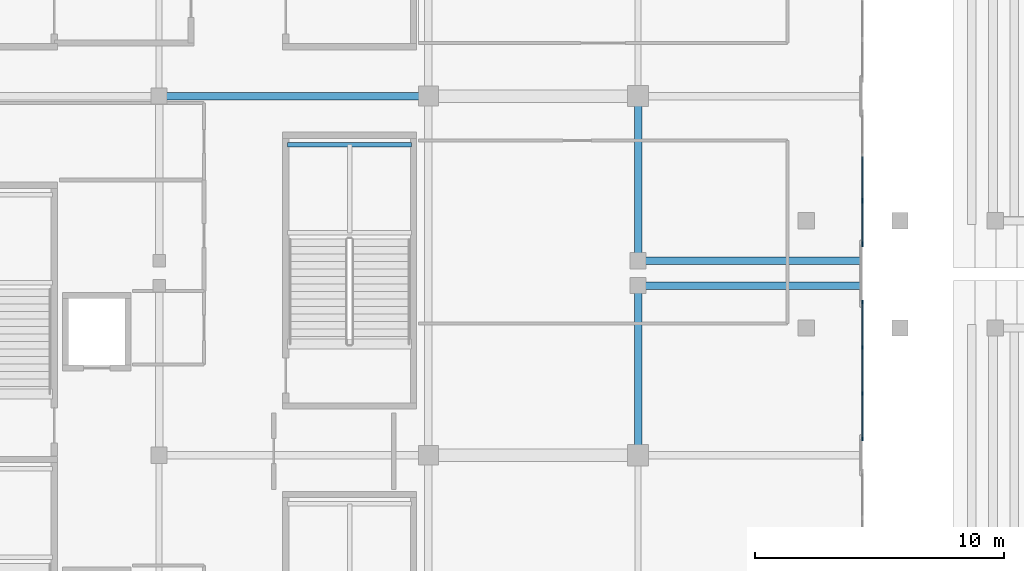
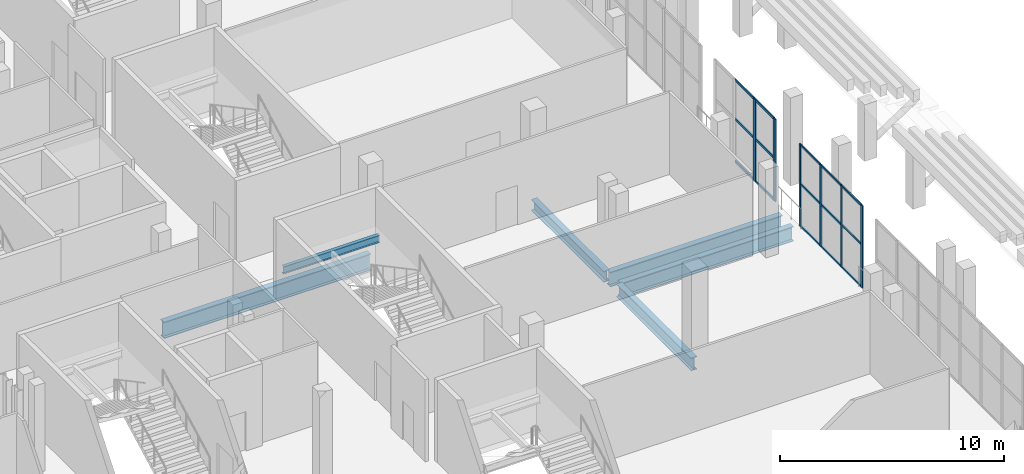
# One storey, part 32 of 142: 21 members, 6 beams, 2 elements without a shape of their own.
"""IFC4 building model written with IfcOpenShell, lengths in metres."""

from ifc_helpers import new_model, si_unit, direction, frame, origin, origin_2d, place, context, subcontext, project, spatial, rectangle, i_section, extrude, material, material_profile, profile_set, type_object, element, aggregate, save


model = new_model("IFC4")

# Units and contexts
model_context = context("Model", 3, precision=1e-05, world=origin(), true_north=direction((0.0, 1.0)))
body_context = subcontext(model_context, "Body", "Model", "MODEL_VIEW")
ifc_project = project(units=[si_unit("LENGTHUNIT", "METRE"), si_unit("AREAUNIT", "SQUARE_METRE"), si_unit("VOLUMEUNIT", "CUBIC_METRE"), si_unit("PLANEANGLEUNIT", "RADIAN"), si_unit("MASSUNIT", "GRAM", prefix="KILO")], contexts=[model_context])

# Site, building, storey
site_placement = place(None, origin())
site = spatial("IfcSite", under=ifc_project, at=site_placement, CompositionType="ELEMENT")
building_placement = place(site_placement, origin())
building = spatial("IfcBuilding", under=site, at=building_placement, Name="Koshinbarg Plaza Stadium", CompositionType="ELEMENT")
storey_placement = place(building_placement, frame((0.0, 0.0, 10.199951171875)))
storey = spatial("IfcBuildingStorey", under=building, at=storey_placement, Name="L02", CompositionType="ELEMENT", Elevation=10.199951171875)

# Beams
ifc_material_1 = material(Name="Steel S355", Category="steel")
ifc_material_profile_1 = material_profile(ifc_material_1, i_section(OverallWidth=0.179931640625, OverallDepth=0.39990234375, WebThickness=0.008544921875, FlangeThickness=0.013427734375, at=origin_2d()), Name="IPE 400")
ifc_profile_set_1 = profile_set([ifc_material_profile_1], Name="Steel S355")
beam_type_1 = type_object("IfcBeamType", Name="BM-SBM-01", PredefinedType="BEAM", material=ifc_profile_set_1)
beam_1_placement = place(storey_placement, frame((40.550048828125, 81.14990234375, 1.880126953125), z_axis=(1.0, 0.0, 0.0), x_axis=(0.0, 1.0, 0.0)))
element("IfcBeam", 1, at=beam_1_placement, inside=storey, type_object=beam_type_1, Name="L02 Upper Vomitory Stair VX04 landing trimmer beam 2", PredefinedType="BEAM", context=body_context, shape_type="SweptSolid", body=[
    extrude(i_section(OverallWidth=0.179931640625, OverallDepth=0.39990234375, WebThickness=0.008544921875, FlangeThickness=0.013427734375, at=origin_2d()), origin(), (0.0, 0.0, 1.0), 4.969970703125),
])
ifc_material_profile_2 = material_profile(ifc_material_1, i_section(OverallWidth=0.300048828125, OverallDepth=0.60009765625, WebThickness=0.015380859375, FlangeThickness=0.030029296875, at=origin_2d()), Name="HEB 600")
ifc_profile_set_2 = profile_set([ifc_material_profile_2], Name="Steel S355")
beam_type_2 = type_object("IfcBeamType", Name="BM-SGIR-02", PredefinedType="USERDEFINED", material=ifc_profile_set_2)
beam_2_placement = place(storey_placement, frame((54.60009765625, 76.56005859375, -0.599853515625), z_axis=(0.0, 1.0, 0.0), x_axis=(-1.0, 0.0, 0.0)))
element("IfcBeam", 2, at=beam_2_placement, inside=storey, type_object=beam_type_2, Name="L02 Y girder 8/L-M", ObjectType="GIRDER", PredefinedType="USERDEFINED", context=body_context, shape_type="SweptSolid", body=[
    extrude(i_section(OverallWidth=0.300048828125, OverallDepth=0.60009765625, WebThickness=0.015380859375, FlangeThickness=0.030029296875, at=origin_2d()), origin(), (0.0, 0.0, 1.0), 6.47998046875),
])
ifc_material_profile_3 = material_profile(ifc_material_1, i_section(OverallWidth=0.300048828125, OverallDepth=0.699951171875, WebThickness=0.01708984375, FlangeThickness=0.031982421875, at=origin_2d()), Name="HEB 700")
ifc_profile_set_3 = profile_set([ifc_material_profile_3], Name="Steel S355")
beam_type_3 = type_object("IfcBeamType", Name="BM-SGIR-03", PredefinedType="USERDEFINED", material=ifc_profile_set_3)
beam_3_placement = place(storey_placement, frame((54.60009765625, 68.760009765625, -0.64990234375), z_axis=(0.0, 1.0, 0.0), x_axis=(-1.0, 0.0, 0.0)))
element("IfcBeam", 3, at=beam_3_placement, inside=storey, type_object=beam_type_3, Name="L02 Y girder 8/J-K", ObjectType="GIRDER", PredefinedType="USERDEFINED", context=body_context, shape_type="SweptSolid", body=[
    extrude(i_section(OverallWidth=0.300048828125, OverallDepth=0.699951171875, WebThickness=0.01708984375, FlangeThickness=0.031982421875, at=origin_2d()), origin(), (0.0, 0.0, 1.0), 6.679931640625),
])
ifc_material_profile_4 = material_profile(ifc_material_1, i_section(OverallWidth=0.300048828125, OverallDepth=0.800048828125, WebThickness=0.017578125, FlangeThickness=0.032958984375, at=origin_2d()), Name="HEB 800")
ifc_profile_set_4 = profile_set([ifc_material_profile_4], Name="Steel S355")
beam_type_4 = type_object("IfcBeamType", Name="BM-SGIR-04", PredefinedType="USERDEFINED", material=ifc_profile_set_4)
for number, where, z_axis, x_axis, name in (
    (4, (54.659912109375, 75.5, -0.699951171875), (1.0, 0.0, 0.0), (0.0, 1.0, 0.0), "L02 X girder K/8-9"),
    (5, (54.659912109375, 76.5, -0.699951171875), (1.0, 0.0, 0.0), (0.0, 1.0, 0.0), "L02 X girder L/8-9"),
):
    element("IfcBeam", number, at=place(storey_placement, frame(where, z_axis=z_axis, x_axis=x_axis)), inside=storey, type_object=beam_type_4, Name=name, ObjectType="GIRDER", PredefinedType="USERDEFINED", context=body_context, shape_type="SweptSolid", body=[
        extrude(i_section(OverallWidth=0.300048828125, OverallDepth=0.800048828125, WebThickness=0.017578125, FlangeThickness=0.032958984375, at=origin_2d()), origin(), (0.0, 0.0, 1.0), 8.880126953125),
    ])
ifc_material_profile_5 = material_profile(ifc_material_1, i_section(OverallWidth=0.300048828125, OverallDepth=0.89990234375, WebThickness=0.0185546875, FlangeThickness=0.034912109375, at=origin_2d()), Name="HEB 900")
ifc_profile_set_5 = profile_set([ifc_material_profile_5], Name="Steel S355")
beam_type_5 = type_object("IfcBeamType", Name="BM-SGIR-05", PredefinedType="USERDEFINED", material=ifc_profile_set_5)
beam_4_placement = place(storey_placement, frame((35.4599609375, 83.10009765625, -0.75), z_axis=(1.0, 0.0, 0.0), x_axis=(0.0, 1.0, 0.0)))
element("IfcBeam", 6, at=beam_4_placement, inside=storey, type_object=beam_type_5, Name="L02 X girder M/6-7", ObjectType="GIRDER", PredefinedType="USERDEFINED", context=body_context, shape_type="SweptSolid", body=[
    extrude(i_section(OverallWidth=0.300048828125, OverallDepth=0.89990234375, WebThickness=0.0185546875, FlangeThickness=0.034912109375, at=origin_2d()), origin(), (0.0, 0.0, 1.0), 10.679931640625),
])

# Curtain wall, members
ifc_material_2 = material(Name="Thermally broken anodised aluminium and low-E double glazing", Category="aluminium")
curtain_wall_type_1 = type_object("IfcCurtainWallType", Name="CW-SYS-13", PredefinedType="NOTDEFINED", material=ifc_material_2)
curtain_wall_1_placement = place(storey_placement, origin())
curtain_wall_1 = element("IfcCurtainWall", 7, at=curtain_wall_1_placement, inside=storey, type_object=curtain_wall_type_1, Name="L02 unitised curtain wall CW-L02-076", PredefinedType="NOTDEFINED")
ifc_material_3 = material(Name="Anodised aluminium mullion", Category="aluminium")
ifc_material_profile_6 = material_profile(ifc_material_3, rectangle(XDim=0.06005859375, YDim=0.139892578125, at=origin_2d()), Name="ALU 60x140")
ifc_profile_set_6 = profile_set([ifc_material_profile_6], Name="Anodised aluminium mullion")
member_type_1 = type_object("IfcMemberType", Name="CW-MUL-01", PredefinedType="MULLION", material=ifc_profile_set_6)
member_1_placement = place(storey_placement, frame((63.60009765625, 74.85009765625, 0.0), z_axis=(0.0, 0.0, 1.0), x_axis=(1.0, 0.0, 0.0)))
member_1 = element("IfcMember", 8, at=member_1_placement, type_object=member_type_1, Name="CW13 mullion 1", PredefinedType="MULLION", context=body_context, shape_type="SweptSolid", body=[
    extrude(rectangle(XDim=0.06005859375, YDim=0.139892578125, at=origin_2d()), origin(), (0.0, 0.0, 1.0), 4.47998046875),
])
member_2_placement = place(storey_placement, frame((63.60009765625, 73.026611328125, 0.0), z_axis=(0.0, 0.0, 1.0), x_axis=(1.0, 0.0, 0.0)))
member_2 = element("IfcMember", 9, at=member_2_placement, type_object=member_type_1, Name="CW13 mullion 2", PredefinedType="MULLION", context=body_context, shape_type="SweptSolid", body=[
    extrude(rectangle(XDim=0.06005859375, YDim=0.139892578125, at=origin_2d()), origin(), (0.0, 0.0, 1.0), 4.47998046875),
])
member_3_placement = place(storey_placement, frame((63.60009765625, 71.17333984375, 0.0), z_axis=(0.0, 0.0, 1.0), x_axis=(1.0, 0.0, 0.0)))
member_3 = element("IfcMember", 10, at=member_3_placement, type_object=member_type_1, Name="CW13 mullion 3", PredefinedType="MULLION", context=body_context, shape_type="SweptSolid", body=[
    extrude(rectangle(XDim=0.06005859375, YDim=0.139892578125, at=origin_2d()), origin(), (0.0, 0.0, 1.0), 4.47998046875),
])
member_4_placement = place(storey_placement, frame((63.60009765625, 69.35009765625, 0.0), z_axis=(0.0, 0.0, 1.0), x_axis=(1.0, 0.0, 0.0)))
member_4 = element("IfcMember", 11, at=member_4_placement, type_object=member_type_1, Name="CW13 mullion 4", PredefinedType="MULLION", context=body_context, shape_type="SweptSolid", body=[
    extrude(rectangle(XDim=0.06005859375, YDim=0.139892578125, at=origin_2d()), origin(), (0.0, 0.0, 1.0), 4.47998046875),
])

curtain_wall_type_2 = type_object("IfcCurtainWallType", Name="CW-SYS-12", PredefinedType="NOTDEFINED", material=ifc_material_2)
curtain_wall_2_placement = place(storey_placement, origin())
curtain_wall_2 = element("IfcCurtainWall", 12, at=curtain_wall_2_placement, inside=storey, type_object=curtain_wall_type_2, Name="L02 unitised curtain wall CW-L02-075", PredefinedType="NOTDEFINED")
ifc_material_profile_7 = material_profile(ifc_material_3, rectangle(XDim=0.070068359375, YDim=0.199951171875, at=origin_2d()), Name="ALU 70x200")
ifc_profile_set_7 = profile_set([ifc_material_profile_7], Name="Anodised aluminium mullion")
member_type_2 = type_object("IfcMemberType", Name="CW-MUL-04", PredefinedType="MULLION", material=ifc_profile_set_7)
member_5_placement = place(storey_placement, frame((63.60009765625, 78.90673828125, 0.0), z_axis=(0.0, 0.0, 1.0), x_axis=(1.0, 0.0, 0.0)))
member_5 = element("IfcMember", 13, at=member_5_placement, type_object=member_type_2, Name="CW12 mullion 3", PredefinedType="MULLION", context=body_context, shape_type="SweptSolid", body=[
    extrude(rectangle(XDim=0.070068359375, YDim=0.199951171875, at=origin_2d()), origin(), (0.0, 0.0, 1.0), 4.47998046875),
])
member_6_placement = place(storey_placement, frame((63.60009765625, 77.14990234375, 0.0), z_axis=(0.0, 0.0, 1.0), x_axis=(1.0, 0.0, 0.0)))
member_6 = element("IfcMember", 14, at=member_6_placement, type_object=member_type_2, Name="CW12 mullion 4", PredefinedType="MULLION", context=body_context, shape_type="SweptSolid", body=[
    extrude(rectangle(XDim=0.070068359375, YDim=0.199951171875, at=origin_2d()), origin(), (0.0, 0.0, 1.0), 4.47998046875),
])

# Member
ifc_material_4 = material(Name="Anodised aluminium transom", Category="aluminium")
ifc_material_profile_8 = material_profile(ifc_material_4, rectangle(XDim=0.06005859375, YDim=0.110107421875, at=origin_2d()), Name="ALU 60x110")
ifc_profile_set_8 = profile_set([ifc_material_profile_8], Name="Anodised aluminium transom")
member_type_3 = type_object("IfcMemberType", Name="CW-TRN-01", PredefinedType="USERDEFINED", material=ifc_profile_set_8)
member_7_placement = place(storey_placement, frame((63.60009765625, 74.820068359375, 0.030029296875), z_axis=(0.0, -1.0, 0.0), x_axis=(1.0, 0.0, 0.0)))
member_7 = element("IfcMember", 15, at=member_7_placement, type_object=member_type_3, Name="CW13 transom 1.1", ObjectType="TRANSOM", PredefinedType="USERDEFINED", context=body_context, shape_type="SweptSolid", body=[
    extrude(rectangle(XDim=0.06005859375, YDim=0.110107421875, at=origin_2d()), origin(), (0.0, 0.0, 1.0), 1.763427734375),
])

member_8_placement = place(storey_placement, frame((63.60009765625, 74.820068359375, 2.32958984375), z_axis=(0.0, -1.0, 0.0), x_axis=(1.0, 0.0, 0.0)))
member_8 = element("IfcMember", 16, at=member_8_placement, type_object=member_type_3, Name="CW13 transom 1.2", ObjectType="TRANSOM", PredefinedType="USERDEFINED", context=body_context, shape_type="SweptSolid", body=[
    extrude(rectangle(XDim=0.06005859375, YDim=0.110107421875, at=origin_2d()), origin(), (0.0, 0.0, 1.0), 1.763427734375),
])

member_9_placement = place(storey_placement, frame((63.60009765625, 74.820068359375, 4.449951171875), z_axis=(0.0, -1.0, 0.0), x_axis=(1.0, 0.0, 0.0)))
member_9 = element("IfcMember", 17, at=member_9_placement, type_object=member_type_3, Name="CW13 transom 1.3", ObjectType="TRANSOM", PredefinedType="USERDEFINED", context=body_context, shape_type="SweptSolid", body=[
    extrude(rectangle(XDim=0.06005859375, YDim=0.110107421875, at=origin_2d()), origin(), (0.0, 0.0, 1.0), 1.763427734375),
])

member_10_placement = place(storey_placement, frame((63.60009765625, 72.99658203125, 0.030029296875), z_axis=(0.0, -1.0, 0.0), x_axis=(1.0, 0.0, 0.0)))
member_10 = element("IfcMember", 18, at=member_10_placement, type_object=member_type_3, Name="CW13 transom 2.1", ObjectType="TRANSOM", PredefinedType="USERDEFINED", context=body_context, shape_type="SweptSolid", body=[
    extrude(rectangle(XDim=0.06005859375, YDim=0.110107421875, at=origin_2d()), origin(), (0.0, 0.0, 1.0), 1.793212890625),
])

member_11_placement = place(storey_placement, frame((63.60009765625, 72.99658203125, 2.32958984375), z_axis=(0.0, -1.0, 0.0), x_axis=(1.0, 0.0, 0.0)))
member_11 = element("IfcMember", 19, at=member_11_placement, type_object=member_type_3, Name="CW13 transom 2.2", ObjectType="TRANSOM", PredefinedType="USERDEFINED", context=body_context, shape_type="SweptSolid", body=[
    extrude(rectangle(XDim=0.06005859375, YDim=0.110107421875, at=origin_2d()), origin(), (0.0, 0.0, 1.0), 1.793212890625),
])

member_12_placement = place(storey_placement, frame((63.60009765625, 72.99658203125, 4.449951171875), z_axis=(0.0, -1.0, 0.0), x_axis=(1.0, 0.0, 0.0)))
member_12 = element("IfcMember", 20, at=member_12_placement, type_object=member_type_3, Name="CW13 transom 2.3", ObjectType="TRANSOM", PredefinedType="USERDEFINED", context=body_context, shape_type="SweptSolid", body=[
    extrude(rectangle(XDim=0.06005859375, YDim=0.110107421875, at=origin_2d()), origin(), (0.0, 0.0, 1.0), 1.793212890625),
])

member_13_placement = place(storey_placement, frame((63.60009765625, 71.143310546875, 0.030029296875), z_axis=(0.0, -1.0, 0.0), x_axis=(1.0, 0.0, 0.0)))
member_13 = element("IfcMember", 21, at=member_13_placement, type_object=member_type_3, Name="CW13 transom 3.1", ObjectType="TRANSOM", PredefinedType="USERDEFINED", context=body_context, shape_type="SweptSolid", body=[
    extrude(rectangle(XDim=0.06005859375, YDim=0.110107421875, at=origin_2d()), origin(), (0.0, 0.0, 1.0), 1.763427734375),
])

member_14_placement = place(storey_placement, frame((63.60009765625, 71.143310546875, 2.32958984375), z_axis=(0.0, -1.0, 0.0), x_axis=(1.0, 0.0, 0.0)))
member_14 = element("IfcMember", 22, at=member_14_placement, type_object=member_type_3, Name="CW13 transom 3.2", ObjectType="TRANSOM", PredefinedType="USERDEFINED", context=body_context, shape_type="SweptSolid", body=[
    extrude(rectangle(XDim=0.06005859375, YDim=0.110107421875, at=origin_2d()), origin(), (0.0, 0.0, 1.0), 1.763427734375),
])

member_15_placement = place(storey_placement, frame((63.60009765625, 71.143310546875, 4.449951171875), z_axis=(0.0, -1.0, 0.0), x_axis=(1.0, 0.0, 0.0)))
member_15 = element("IfcMember", 23, at=member_15_placement, type_object=member_type_3, Name="CW13 transom 3.3", ObjectType="TRANSOM", PredefinedType="USERDEFINED", context=body_context, shape_type="SweptSolid", body=[
    extrude(rectangle(XDim=0.06005859375, YDim=0.110107421875, at=origin_2d()), origin(), (0.0, 0.0, 1.0), 1.763427734375),
])

aggregate(curtain_wall_1, [member_1, member_2, member_3, member_4, member_7, member_8, member_9, member_10, member_11, member_12, member_13, member_14, member_15])

ifc_material_profile_9 = material_profile(ifc_material_4, rectangle(XDim=0.06005859375, YDim=0.1298828125, at=origin_2d()), Name="ALU 60x130")
ifc_profile_set_9 = profile_set([ifc_material_profile_9], Name="Anodised aluminium transom")
member_type_4 = type_object("IfcMemberType", Name="CW-TRN-02", PredefinedType="USERDEFINED", material=ifc_profile_set_9)
member_16_placement = place(storey_placement, frame((63.60009765625, 80.663330078125, 0.030029296875), z_axis=(0.0, -1.0, 0.0), x_axis=(1.0, 0.0, 0.0)))
member_16 = element("IfcMember", 24, at=member_16_placement, type_object=member_type_4, Name="CW12 transom 2.1", ObjectType="TRANSOM", PredefinedType="USERDEFINED", context=body_context, shape_type="SweptSolid", body=[
    extrude(rectangle(XDim=0.06005859375, YDim=0.1298828125, at=origin_2d()), origin(), (0.0, 0.0, 1.0), 1.7265625),
])

member_17_placement = place(storey_placement, frame((63.60009765625, 80.663330078125, 2.32958984375), z_axis=(0.0, -1.0, 0.0), x_axis=(1.0, 0.0, 0.0)))
member_17 = element("IfcMember", 25, at=member_17_placement, type_object=member_type_4, Name="CW12 transom 2.2", ObjectType="TRANSOM", PredefinedType="USERDEFINED", context=body_context, shape_type="SweptSolid", body=[
    extrude(rectangle(XDim=0.06005859375, YDim=0.1298828125, at=origin_2d()), origin(), (0.0, 0.0, 1.0), 1.7265625),
])

member_18_placement = place(storey_placement, frame((63.60009765625, 80.663330078125, 4.449951171875), z_axis=(0.0, -1.0, 0.0), x_axis=(1.0, 0.0, 0.0)))
member_18 = element("IfcMember", 26, at=member_18_placement, type_object=member_type_4, Name="CW12 transom 2.3", ObjectType="TRANSOM", PredefinedType="USERDEFINED", context=body_context, shape_type="SweptSolid", body=[
    extrude(rectangle(XDim=0.06005859375, YDim=0.1298828125, at=origin_2d()), origin(), (0.0, 0.0, 1.0), 1.7265625),
])

member_19_placement = place(storey_placement, frame((63.60009765625, 78.876708984375, 0.030029296875), z_axis=(0.0, -1.0, 0.0), x_axis=(1.0, 0.0, 0.0)))
member_19 = element("IfcMember", 27, at=member_19_placement, type_object=member_type_4, Name="CW12 transom 3.1", ObjectType="TRANSOM", PredefinedType="USERDEFINED", context=body_context, shape_type="SweptSolid", body=[
    extrude(rectangle(XDim=0.06005859375, YDim=0.1298828125, at=origin_2d()), origin(), (0.0, 0.0, 1.0), 1.69677734375),
])

member_20_placement = place(storey_placement, frame((63.60009765625, 78.876708984375, 2.32958984375), z_axis=(0.0, -1.0, 0.0), x_axis=(1.0, 0.0, 0.0)))
member_20 = element("IfcMember", 28, at=member_20_placement, type_object=member_type_4, Name="CW12 transom 3.2", ObjectType="TRANSOM", PredefinedType="USERDEFINED", context=body_context, shape_type="SweptSolid", body=[
    extrude(rectangle(XDim=0.06005859375, YDim=0.1298828125, at=origin_2d()), origin(), (0.0, 0.0, 1.0), 1.69677734375),
])

member_21_placement = place(storey_placement, frame((63.60009765625, 78.876708984375, 4.449951171875), z_axis=(0.0, -1.0, 0.0), x_axis=(1.0, 0.0, 0.0)))
member_21 = element("IfcMember", 29, at=member_21_placement, type_object=member_type_4, Name="CW12 transom 3.3", ObjectType="TRANSOM", PredefinedType="USERDEFINED", context=body_context, shape_type="SweptSolid", body=[
    extrude(rectangle(XDim=0.06005859375, YDim=0.1298828125, at=origin_2d()), origin(), (0.0, 0.0, 1.0), 1.69677734375),
])

aggregate(curtain_wall_2, [member_5, member_6, member_16, member_17, member_18, member_19, member_20, member_21])

save(model, "model.ifc")
